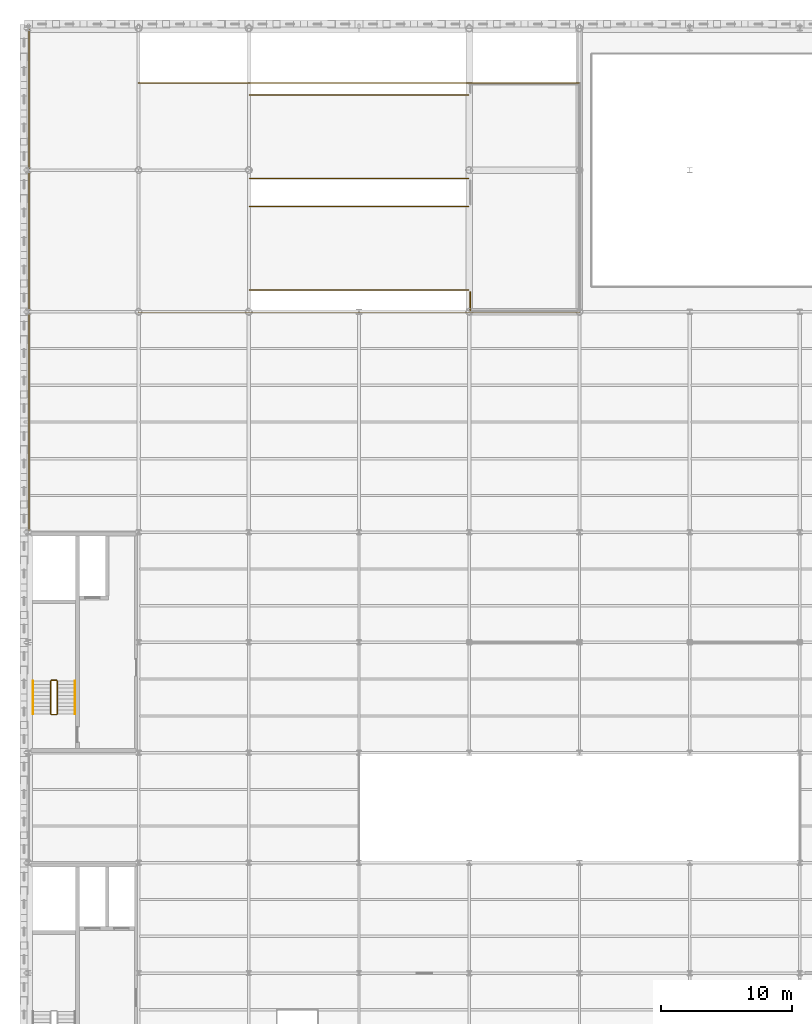
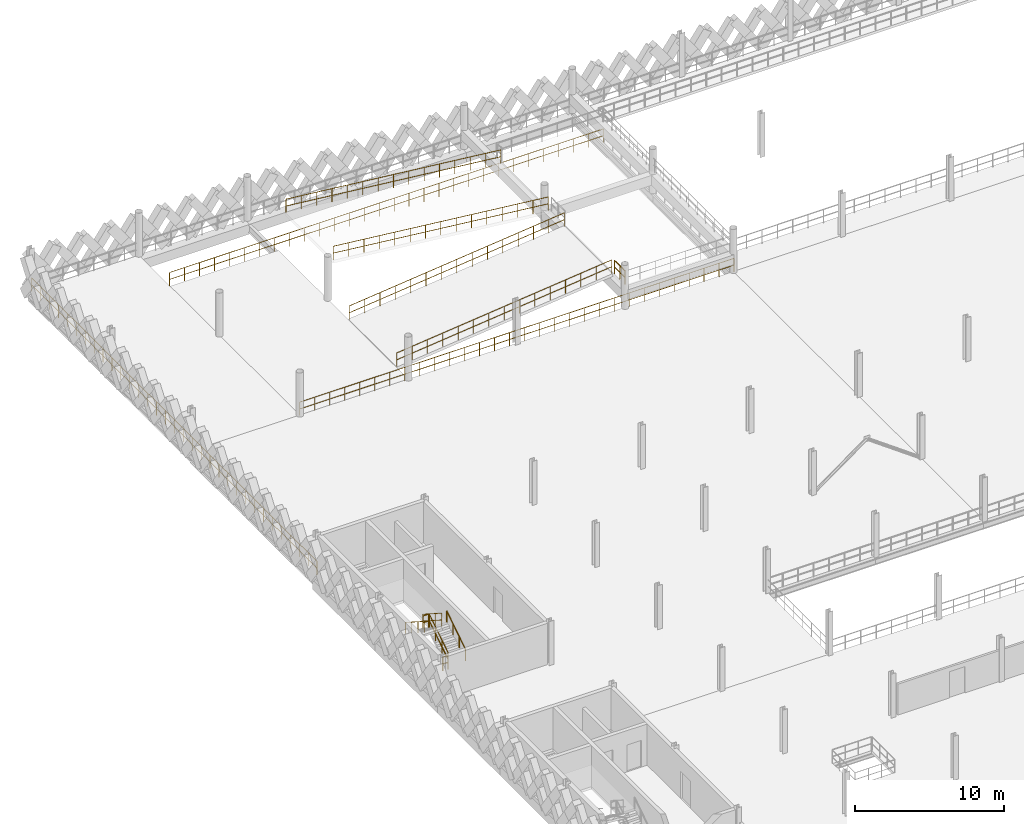
# One storey, part 96 of 101: 14 railings.
"""IFC4 building model written with IfcOpenShell, lengths in metres."""

from ifc_helpers import new_model, si_unit, direction, frame, origin, origin_2d, place, context, subcontext, project, spatial, circle, extrude, material, type_object, element, save


model = new_model("IFC4")

# Units and contexts
model_context = context("Model", 3, precision=1e-05, world=origin(), true_north=direction((0.0, 1.0)))
body_context = subcontext(model_context, "Body", "Model", "MODEL_VIEW")
ifc_project = project(units=[si_unit("LENGTHUNIT", "METRE"), si_unit("AREAUNIT", "SQUARE_METRE"), si_unit("VOLUMEUNIT", "CUBIC_METRE"), si_unit("PLANEANGLEUNIT", "RADIAN"), si_unit("MASSUNIT", "GRAM", prefix="KILO"), si_unit("THERMODYNAMICTEMPERATUREUNIT", "KELVIN"), si_unit("POWERUNIT", "WATT")], contexts=[model_context])

# Site, building, storey
site_placement = place(None, origin())
site = spatial("IfcSite", under=ifc_project, at=site_placement, CompositionType="ELEMENT")
building_placement = place(site_placement, origin())
building = spatial("IfcBuilding", under=site, at=building_placement, Name="Tembeka Court Mobility Hub", CompositionType="ELEMENT")
storey_placement = place(building_placement, frame((0.0, 0.0, 5.39990234375)))
storey = spatial("IfcBuildingStorey", under=building, at=storey_placement, Name="L01", CompositionType="ELEMENT", Elevation=5.39990234375)

# Railings
ifc_material_1 = material(Name="Painted galvanised steel balustrade", Category="steel")
railing_type_1 = type_object("IfcRailingType", Name="RL-GR01", PredefinedType="GUARDRAIL", material=ifc_material_1)
railing_1_placement = place(storey_placement, frame((2.199951171875, 66.550048828125, 0.18017578125)))
element("IfcRailing", 1, at=railing_1_placement, inside=storey, type_object=railing_type_1, Name="L01 ST03 stair guard 1-1", PredefinedType="GUARDRAIL", context=body_context, shape_type="SweptSolid", body=[
    extrude(circle(Radius=0.02392578125, at=origin_2d()), frame((0.0, 0.0, 1.09619140625), z_axis=(0.0, 0.841199657755, 0.540724639528), x_axis=(-1.0, 0.0, 0.0)), (0.0, 0.0, 1.0), 2.995849609375),
    extrude(circle(Radius=0.02392578125, at=origin_2d()), frame((0.0, 0.0, 0.5361328125), z_axis=(0.0, 0.841199657755, 0.540724639528), x_axis=(-1.0, 0.0, 0.0)), (0.0, 0.0, 1.0), 2.995849609375),
    extrude(circle(Radius=0.02099609375, at=origin_2d()), origin(), (0.0, 0.0, 1.0), 1.072021484375),
    extrude(circle(Radius=0.02099609375, at=origin_2d()), frame((0.0, 0.840087890625, 0.5400390625)), (0.0, 0.0, 1.0), 1.072021484375),
    extrude(circle(Radius=0.02099609375, at=origin_2d()), frame((0.0, 1.679931640625, 1.079833984375)), (0.0, 0.0, 1.0), 1.072021484375),
    extrude(circle(Radius=0.02099609375, at=origin_2d()), frame((0.0, 2.52001953125, 1.619873046875)), (0.0, 0.0, 1.0), 1.072021484375),
])
railing_2_placement = place(storey_placement, frame((2.14990234375, 69.1201171875, 1.800048828125)))
element("IfcRailing", 2, at=railing_2_placement, inside=storey, type_object=railing_type_1, Name="L01 ST03 stair guard 2-1", PredefinedType="GUARDRAIL", context=body_context, shape_type="SweptSolid", body=[
    extrude(circle(Radius=0.02392578125, at=origin_2d()), frame((0.0, 0.0, 1.09619140625), z_axis=(-1.0, 0.0, 0.0), x_axis=(0.0, -1.0, 0.0)), (0.0, 0.0, 1.0), 0.39990234375),
    extrude(circle(Radius=0.02392578125, at=origin_2d()), frame((0.0, 0.0, 0.5361328125), z_axis=(-1.0, 0.0, 0.0), x_axis=(0.0, -1.0, 0.0)), (0.0, 0.0, 1.0), 0.39990234375),
    extrude(circle(Radius=0.02099609375, at=origin_2d()), origin(), (0.0, 0.0, 1.0), 1.072021484375),
    extrude(circle(Radius=0.02099609375, at=origin_2d()), frame((-0.39990234375, 0.0, 0.0)), (0.0, 0.0, 1.0), 1.072021484375),
])
railing_3_placement = place(storey_placement, frame((1.699951171875, 69.070068359375, 1.97998046875)))
element("IfcRailing", 3, at=railing_3_placement, inside=storey, type_object=railing_type_1, Name="L01 ST03 stair guard 3-1", PredefinedType="GUARDRAIL", context=body_context, shape_type="SweptSolid", body=[
    extrude(circle(Radius=0.02392578125, at=origin_2d()), frame((0.0, 0.0, 1.09619140625), z_axis=(0.0, -0.841162588446, 0.540782303519), x_axis=(1.0, 0.0, 0.0)), (0.0, 0.0, 1.0), 2.995849609375),
    extrude(circle(Radius=0.02392578125, at=origin_2d()), frame((0.0, 0.0, 0.5361328125), z_axis=(0.0, -0.841162588446, 0.540782303519), x_axis=(1.0, 0.0, 0.0)), (0.0, 0.0, 1.0), 2.995849609375),
    extrude(circle(Radius=0.02099609375, at=origin_2d()), origin(), (0.0, 0.0, 1.0), 1.072021484375),
    extrude(circle(Radius=0.02099609375, at=origin_2d()), frame((0.0, -0.840087890625, 0.5400390625)), (0.0, 0.0, 1.0), 1.072021484375),
    extrude(circle(Radius=0.02099609375, at=origin_2d()), frame((0.0, -1.679931640625, 1.080078125)), (0.0, 0.0, 1.0), 1.072021484375),
    extrude(circle(Radius=0.02099609375, at=origin_2d()), frame((0.0, -2.52001953125, 1.6201171875)), (0.0, 0.0, 1.0), 1.072021484375),
])
railing_4_placement = place(storey_placement, frame((2.14990234375, 66.5, 0.0)))
element("IfcRailing", 4, at=railing_4_placement, inside=storey, type_object=railing_type_1, Name="L01 ST03 stair guard 4-1", PredefinedType="GUARDRAIL", context=body_context, shape_type="SweptSolid", body=[
    extrude(circle(Radius=0.02392578125, at=origin_2d()), frame((0.0, 0.0, 1.09619140625), z_axis=(-1.0, 0.0, 0.0), x_axis=(0.0, -1.0, 0.0)), (0.0, 0.0, 1.0), 0.39990234375),
    extrude(circle(Radius=0.02392578125, at=origin_2d()), frame((0.0, 0.0, 0.5361328125), z_axis=(-1.0, 0.0, 0.0), x_axis=(0.0, -1.0, 0.0)), (0.0, 0.0, 1.0), 0.39990234375),
    extrude(circle(Radius=0.02099609375, at=origin_2d()), origin(), (0.0, 0.0, 1.0), 1.072021484375),
    extrude(circle(Radius=0.02099609375, at=origin_2d()), frame((-0.39990234375, 0.0, 0.0)), (0.0, 0.0, 1.0), 1.072021484375),
])
railing_type_2 = type_object("IfcRailingType", Name="RL-GR02", PredefinedType="GUARDRAIL", material=ifc_material_1)
railing_5_placement = place(storey_placement, frame((0.050048828125, 80.429931640625, 0.0)))
element("IfcRailing", 5, at=railing_5_placement, inside=storey, type_object=railing_type_2, Name="Perimeter guard GR02-0065", PredefinedType="GUARDRAIL", context=body_context, shape_type="SweptSolid", body=[
    extrude(circle(Radius=0.02392578125, at=origin_2d()), frame((0.0, 0.0, 1.09619140625), z_axis=(0.0, 1.0, 0.0), x_axis=(-1.0, 0.0, 0.0)), (0.0, 0.0, 1.0), 38.2900390625),
    extrude(circle(Radius=0.02392578125, at=origin_2d()), frame((0.0, 0.0, 0.5361328125), z_axis=(0.0, 1.0, 0.0), x_axis=(-1.0, 0.0, 0.0)), (0.0, 0.0, 1.0), 38.2900390625),
    extrude(circle(Radius=0.02099609375, at=origin_2d()), origin(), (0.0, 0.0, 1.0), 1.072021484375),
    extrude(circle(Radius=0.02099609375, at=origin_2d()), frame((0.0, 1.196533203125, 0.0)), (0.0, 0.0, 1.0), 1.072021484375),
    extrude(circle(Radius=0.02099609375, at=origin_2d()), frame((0.0, 2.39306640625, 0.0)), (0.0, 0.0, 1.0), 1.072021484375),
    extrude(circle(Radius=0.02099609375, at=origin_2d()), frame((0.0, 3.589599609375, 0.0)), (0.0, 0.0, 1.0), 1.072021484375),
    extrude(circle(Radius=0.02099609375, at=origin_2d()), frame((0.0, 4.7861328125, 0.0)), (0.0, 0.0, 1.0), 1.072021484375),
    extrude(circle(Radius=0.02099609375, at=origin_2d()), frame((0.0, 5.98291015625, 0.0)), (0.0, 0.0, 1.0), 1.072021484375),
    extrude(circle(Radius=0.02099609375, at=origin_2d()), frame((0.0, 7.179443359375, 0.0)), (0.0, 0.0, 1.0), 1.072021484375),
    extrude(circle(Radius=0.02099609375, at=origin_2d()), frame((0.0, 8.3759765625, 0.0)), (0.0, 0.0, 1.0), 1.072021484375),
    extrude(circle(Radius=0.02099609375, at=origin_2d()), frame((0.0, 9.572509765625, 0.0)), (0.0, 0.0, 1.0), 1.072021484375),
    extrude(circle(Radius=0.02099609375, at=origin_2d()), frame((0.0, 10.76904296875, 0.0)), (0.0, 0.0, 1.0), 1.072021484375),
    extrude(circle(Radius=0.02099609375, at=origin_2d()), frame((0.0, 11.965576171875, 0.0)), (0.0, 0.0, 1.0), 1.072021484375),
    extrude(circle(Radius=0.02099609375, at=origin_2d()), frame((0.0, 13.162109375, 0.0)), (0.0, 0.0, 1.0), 1.072021484375),
    extrude(circle(Radius=0.02099609375, at=origin_2d()), frame((0.0, 14.35888671875, 0.0)), (0.0, 0.0, 1.0), 1.072021484375),
    extrude(circle(Radius=0.02099609375, at=origin_2d()), frame((0.0, 15.555419921875, 0.0)), (0.0, 0.0, 1.0), 1.072021484375),
    extrude(circle(Radius=0.02099609375, at=origin_2d()), frame((0.0, 16.751953125, 0.0)), (0.0, 0.0, 1.0), 1.072021484375),
    extrude(circle(Radius=0.02099609375, at=origin_2d()), frame((0.0, 17.948486328125, 0.0)), (0.0, 0.0, 1.0), 1.072021484375),
    extrude(circle(Radius=0.02099609375, at=origin_2d()), frame((0.0, 19.14501953125, 0.0)), (0.0, 0.0, 1.0), 1.072021484375),
    extrude(circle(Radius=0.02099609375, at=origin_2d()), frame((0.0, 20.341552734375, 0.0)), (0.0, 0.0, 1.0), 1.072021484375),
    extrude(circle(Radius=0.02099609375, at=origin_2d()), frame((0.0, 21.5380859375, 0.0)), (0.0, 0.0, 1.0), 1.072021484375),
    extrude(circle(Radius=0.02099609375, at=origin_2d()), frame((0.0, 22.734619140625, 0.0)), (0.0, 0.0, 1.0), 1.072021484375),
    extrude(circle(Radius=0.02099609375, at=origin_2d()), frame((0.0, 23.93115234375, 0.0)), (0.0, 0.0, 1.0), 1.072021484375),
    extrude(circle(Radius=0.02099609375, at=origin_2d()), frame((0.0, 25.1279296875, 0.0)), (0.0, 0.0, 1.0), 1.072021484375),
    extrude(circle(Radius=0.02099609375, at=origin_2d()), frame((0.0, 26.324462890625, 0.0)), (0.0, 0.0, 1.0), 1.072021484375),
    extrude(circle(Radius=0.02099609375, at=origin_2d()), frame((0.0, 27.52099609375, 0.0)), (0.0, 0.0, 1.0), 1.072021484375),
    extrude(circle(Radius=0.02099609375, at=origin_2d()), frame((0.0, 28.717529296875, 0.0)), (0.0, 0.0, 1.0), 1.072021484375),
    extrude(circle(Radius=0.02099609375, at=origin_2d()), frame((0.0, 29.9140625, 0.0)), (0.0, 0.0, 1.0), 1.072021484375),
    extrude(circle(Radius=0.02099609375, at=origin_2d()), frame((0.0, 31.110595703125, 0.0)), (0.0, 0.0, 1.0), 1.072021484375),
    extrude(circle(Radius=0.02099609375, at=origin_2d()), frame((0.0, 32.30712890625, 0.0)), (0.0, 0.0, 1.0), 1.072021484375),
    extrude(circle(Radius=0.02099609375, at=origin_2d()), frame((0.0, 33.50390625, 0.0)), (0.0, 0.0, 1.0), 1.072021484375),
    extrude(circle(Radius=0.02099609375, at=origin_2d()), frame((0.0, 34.700439453125, 0.0)), (0.0, 0.0, 1.0), 1.072021484375),
    extrude(circle(Radius=0.02099609375, at=origin_2d()), frame((0.0, 35.89697265625, 0.0)), (0.0, 0.0, 1.0), 1.072021484375),
    extrude(circle(Radius=0.02099609375, at=origin_2d()), frame((0.0, 37.093505859375, 0.0)), (0.0, 0.0, 1.0), 1.072021484375),
    extrude(circle(Radius=0.02099609375, at=origin_2d()), frame((0.0, 38.2900390625, 0.0)), (0.0, 0.0, 1.0), 1.072021484375),
])
railing_6_placement = place(storey_placement, frame((8.3798828125, 97.14990234375, 0.0)))
element("IfcRailing", 6, at=railing_6_placement, inside=storey, type_object=railing_type_2, Name="Perimeter guard GR02-0187", PredefinedType="GUARDRAIL", context=body_context, shape_type="SweptSolid", body=[
    extrude(circle(Radius=0.02392578125, at=origin_2d()), frame((0.0, 0.0, 1.09619140625), z_axis=(1.0, 0.0, 0.0), x_axis=(0.0, 1.0, 0.0)), (0.0, 0.0, 1.0), 33.64013671875),
    extrude(circle(Radius=0.02392578125, at=origin_2d()), frame((0.0, 0.0, 0.5361328125), z_axis=(1.0, 0.0, 0.0), x_axis=(0.0, 1.0, 0.0)), (0.0, 0.0, 1.0), 33.64013671875),
    extrude(circle(Radius=0.02099609375, at=origin_2d()), origin(), (0.0, 0.0, 1.0), 1.072021484375),
    extrude(circle(Radius=0.02099609375, at=origin_2d()), frame((1.159912109375, 0.0, 0.0)), (0.0, 0.0, 1.0), 1.072021484375),
    extrude(circle(Radius=0.02099609375, at=origin_2d()), frame((2.320068359375, 0.0, 0.0)), (0.0, 0.0, 1.0), 1.072021484375),
    extrude(circle(Radius=0.02099609375, at=origin_2d()), frame((3.47998046875, 0.0, 0.0)), (0.0, 0.0, 1.0), 1.072021484375),
    extrude(circle(Radius=0.02099609375, at=origin_2d()), frame((4.64013671875, 0.0, 0.0)), (0.0, 0.0, 1.0), 1.072021484375),
    extrude(circle(Radius=0.02099609375, at=origin_2d()), frame((5.800048828125, 0.0, 0.0)), (0.0, 0.0, 1.0), 1.072021484375),
    extrude(circle(Radius=0.02099609375, at=origin_2d()), frame((6.9599609375, 0.0, 0.0)), (0.0, 0.0, 1.0), 1.072021484375),
    extrude(circle(Radius=0.02099609375, at=origin_2d()), frame((8.1201171875, 0.0, 0.0)), (0.0, 0.0, 1.0), 1.072021484375),
    extrude(circle(Radius=0.02099609375, at=origin_2d()), frame((9.280029296875, 0.0, 0.0)), (0.0, 0.0, 1.0), 1.072021484375),
    extrude(circle(Radius=0.02099609375, at=origin_2d()), frame((10.43994140625, 0.0, 0.0)), (0.0, 0.0, 1.0), 1.072021484375),
    extrude(circle(Radius=0.02099609375, at=origin_2d()), frame((11.60009765625, 0.0, 0.0)), (0.0, 0.0, 1.0), 1.072021484375),
    extrude(circle(Radius=0.02099609375, at=origin_2d()), frame((12.760009765625, 0.0, 0.0)), (0.0, 0.0, 1.0), 1.072021484375),
    extrude(circle(Radius=0.02099609375, at=origin_2d()), frame((13.920166015625, 0.0, 0.0)), (0.0, 0.0, 1.0), 1.072021484375),
    extrude(circle(Radius=0.02099609375, at=origin_2d()), frame((15.080078125, 0.0, 0.0)), (0.0, 0.0, 1.0), 1.072021484375),
    extrude(circle(Radius=0.02099609375, at=origin_2d()), frame((16.239990234375, 0.0, 0.0)), (0.0, 0.0, 1.0), 1.072021484375),
    extrude(circle(Radius=0.02099609375, at=origin_2d()), frame((17.400146484375, 0.0, 0.0)), (0.0, 0.0, 1.0), 1.072021484375),
    extrude(circle(Radius=0.02099609375, at=origin_2d()), frame((18.56005859375, 0.0, 0.0)), (0.0, 0.0, 1.0), 1.072021484375),
    extrude(circle(Radius=0.02099609375, at=origin_2d()), frame((19.719970703125, 0.0, 0.0)), (0.0, 0.0, 1.0), 1.072021484375),
    extrude(circle(Radius=0.02099609375, at=origin_2d()), frame((20.880126953125, 0.0, 0.0)), (0.0, 0.0, 1.0), 1.072021484375),
    extrude(circle(Radius=0.02099609375, at=origin_2d()), frame((22.0400390625, 0.0, 0.0)), (0.0, 0.0, 1.0), 1.072021484375),
    extrude(circle(Radius=0.02099609375, at=origin_2d()), frame((23.2001953125, 0.0, 0.0)), (0.0, 0.0, 1.0), 1.072021484375),
    extrude(circle(Radius=0.02099609375, at=origin_2d()), frame((24.360107421875, 0.0, 0.0)), (0.0, 0.0, 1.0), 1.072021484375),
    extrude(circle(Radius=0.02099609375, at=origin_2d()), frame((25.52001953125, 0.0, 0.0)), (0.0, 0.0, 1.0), 1.072021484375),
    extrude(circle(Radius=0.02099609375, at=origin_2d()), frame((26.68017578125, 0.0, 0.0)), (0.0, 0.0, 1.0), 1.072021484375),
    extrude(circle(Radius=0.02099609375, at=origin_2d()), frame((27.840087890625, 0.0, 0.0)), (0.0, 0.0, 1.0), 1.072021484375),
    extrude(circle(Radius=0.02099609375, at=origin_2d()), frame((29.0, 0.0, 0.0)), (0.0, 0.0, 1.0), 1.072021484375),
    extrude(circle(Radius=0.02099609375, at=origin_2d()), frame((30.16015625, 0.0, 0.0)), (0.0, 0.0, 1.0), 1.072021484375),
    extrude(circle(Radius=0.02099609375, at=origin_2d()), frame((31.320068359375, 0.0, 0.0)), (0.0, 0.0, 1.0), 1.072021484375),
    extrude(circle(Radius=0.02099609375, at=origin_2d()), frame((32.480224609375, 0.0, 0.0)), (0.0, 0.0, 1.0), 1.072021484375),
    extrude(circle(Radius=0.02099609375, at=origin_2d()), frame((33.64013671875, 0.0, 0.0)), (0.0, 0.0, 1.0), 1.072021484375),
])
railing_7_placement = place(storey_placement, frame((8.3798828125, 114.64990234375, 0.0)))
element("IfcRailing", 7, at=railing_7_placement, inside=storey, type_object=railing_type_2, Name="Perimeter guard GR02-0188", PredefinedType="GUARDRAIL", context=body_context, shape_type="SweptSolid", body=[
    extrude(circle(Radius=0.02392578125, at=origin_2d()), frame((0.0, 0.0, 1.09619140625), z_axis=(1.0, 0.0, 0.0), x_axis=(0.0, 1.0, 0.0)), (0.0, 0.0, 1.0), 33.64013671875),
    extrude(circle(Radius=0.02392578125, at=origin_2d()), frame((0.0, 0.0, 0.5361328125), z_axis=(1.0, 0.0, 0.0), x_axis=(0.0, 1.0, 0.0)), (0.0, 0.0, 1.0), 33.64013671875),
    extrude(circle(Radius=0.02099609375, at=origin_2d()), origin(), (0.0, 0.0, 1.0), 1.072021484375),
    extrude(circle(Radius=0.02099609375, at=origin_2d()), frame((1.159912109375, 0.0, 0.0)), (0.0, 0.0, 1.0), 1.072021484375),
    extrude(circle(Radius=0.02099609375, at=origin_2d()), frame((2.320068359375, 0.0, 0.0)), (0.0, 0.0, 1.0), 1.072021484375),
    extrude(circle(Radius=0.02099609375, at=origin_2d()), frame((3.47998046875, 0.0, 0.0)), (0.0, 0.0, 1.0), 1.072021484375),
    extrude(circle(Radius=0.02099609375, at=origin_2d()), frame((4.64013671875, 0.0, 0.0)), (0.0, 0.0, 1.0), 1.072021484375),
    extrude(circle(Radius=0.02099609375, at=origin_2d()), frame((5.800048828125, 0.0, 0.0)), (0.0, 0.0, 1.0), 1.072021484375),
    extrude(circle(Radius=0.02099609375, at=origin_2d()), frame((6.9599609375, 0.0, 0.0)), (0.0, 0.0, 1.0), 1.072021484375),
    extrude(circle(Radius=0.02099609375, at=origin_2d()), frame((8.1201171875, 0.0, 0.0)), (0.0, 0.0, 1.0), 1.072021484375),
    extrude(circle(Radius=0.02099609375, at=origin_2d()), frame((9.280029296875, 0.0, 0.0)), (0.0, 0.0, 1.0), 1.072021484375),
    extrude(circle(Radius=0.02099609375, at=origin_2d()), frame((10.43994140625, 0.0, 0.0)), (0.0, 0.0, 1.0), 1.072021484375),
    extrude(circle(Radius=0.02099609375, at=origin_2d()), frame((11.60009765625, 0.0, 0.0)), (0.0, 0.0, 1.0), 1.072021484375),
    extrude(circle(Radius=0.02099609375, at=origin_2d()), frame((12.760009765625, 0.0, 0.0)), (0.0, 0.0, 1.0), 1.072021484375),
    extrude(circle(Radius=0.02099609375, at=origin_2d()), frame((13.920166015625, 0.0, 0.0)), (0.0, 0.0, 1.0), 1.072021484375),
    extrude(circle(Radius=0.02099609375, at=origin_2d()), frame((15.080078125, 0.0, 0.0)), (0.0, 0.0, 1.0), 1.072021484375),
    extrude(circle(Radius=0.02099609375, at=origin_2d()), frame((16.239990234375, 0.0, 0.0)), (0.0, 0.0, 1.0), 1.072021484375),
    extrude(circle(Radius=0.02099609375, at=origin_2d()), frame((17.400146484375, 0.0, 0.0)), (0.0, 0.0, 1.0), 1.072021484375),
    extrude(circle(Radius=0.02099609375, at=origin_2d()), frame((18.56005859375, 0.0, 0.0)), (0.0, 0.0, 1.0), 1.072021484375),
    extrude(circle(Radius=0.02099609375, at=origin_2d()), frame((19.719970703125, 0.0, 0.0)), (0.0, 0.0, 1.0), 1.072021484375),
    extrude(circle(Radius=0.02099609375, at=origin_2d()), frame((20.880126953125, 0.0, 0.0)), (0.0, 0.0, 1.0), 1.072021484375),
    extrude(circle(Radius=0.02099609375, at=origin_2d()), frame((22.0400390625, 0.0, 0.0)), (0.0, 0.0, 1.0), 1.072021484375),
    extrude(circle(Radius=0.02099609375, at=origin_2d()), frame((23.2001953125, 0.0, 0.0)), (0.0, 0.0, 1.0), 1.072021484375),
    extrude(circle(Radius=0.02099609375, at=origin_2d()), frame((24.360107421875, 0.0, 0.0)), (0.0, 0.0, 1.0), 1.072021484375),
    extrude(circle(Radius=0.02099609375, at=origin_2d()), frame((25.52001953125, 0.0, 0.0)), (0.0, 0.0, 1.0), 1.072021484375),
    extrude(circle(Radius=0.02099609375, at=origin_2d()), frame((26.68017578125, 0.0, 0.0)), (0.0, 0.0, 1.0), 1.072021484375),
    extrude(circle(Radius=0.02099609375, at=origin_2d()), frame((27.840087890625, 0.0, 0.0)), (0.0, 0.0, 1.0), 1.072021484375),
    extrude(circle(Radius=0.02099609375, at=origin_2d()), frame((29.0, 0.0, 0.0)), (0.0, 0.0, 1.0), 1.072021484375),
    extrude(circle(Radius=0.02099609375, at=origin_2d()), frame((30.16015625, 0.0, 0.0)), (0.0, 0.0, 1.0), 1.072021484375),
    extrude(circle(Radius=0.02099609375, at=origin_2d()), frame((31.320068359375, 0.0, 0.0)), (0.0, 0.0, 1.0), 1.072021484375),
    extrude(circle(Radius=0.02099609375, at=origin_2d()), frame((32.480224609375, 0.0, 0.0)), (0.0, 0.0, 1.0), 1.072021484375),
    extrude(circle(Radius=0.02099609375, at=origin_2d()), frame((33.64013671875, 0.0, 0.0)), (0.0, 0.0, 1.0), 1.072021484375),
])
railing_8_placement = place(storey_placement, frame((16.869873046875, 98.8701171875, 0.00341796875)))
element("IfcRailing", 8, at=railing_8_placement, inside=storey, type_object=railing_type_2, Name="Perimeter guard GR02-0222", PredefinedType="GUARDRAIL", context=body_context, shape_type="SweptSolid", body=[
    extrude(circle(Radius=0.02392578125, at=origin_2d()), frame((0.0, 0.0, 1.09619140625), z_axis=(0.994255840215, 0.0, 0.107029548251), x_axis=(0.0, 1.0, 0.0)), (0.0, 0.0, 1.0), 16.756591796875),
    extrude(circle(Radius=0.02392578125, at=origin_2d()), frame((0.0, 0.0, 0.5361328125), z_axis=(0.994255840215, 0.0, 0.107029548251), x_axis=(0.0, 1.0, 0.0)), (0.0, 0.0, 1.0), 16.756591796875),
    extrude(circle(Radius=0.02099609375, at=origin_2d()), origin(), (0.0, 0.0, 1.0), 1.072021484375),
    extrude(circle(Radius=0.02099609375, at=origin_2d()), frame((1.18994140625, 0.0, 0.128173828125)), (0.0, 0.0, 1.0), 1.072021484375),
    extrude(circle(Radius=0.02099609375, at=origin_2d()), frame((2.380126953125, 0.0, 0.256103515625)), (0.0, 0.0, 1.0), 1.072021484375),
    extrude(circle(Radius=0.02099609375, at=origin_2d()), frame((3.570068359375, 0.0, 0.38427734375)), (0.0, 0.0, 1.0), 1.072021484375),
    extrude(circle(Radius=0.02099609375, at=origin_2d()), frame((4.760009765625, 0.0, 0.512451171875)), (0.0, 0.0, 1.0), 1.072021484375),
    extrude(circle(Radius=0.02099609375, at=origin_2d()), frame((5.9501953125, 0.0, 0.640625)), (0.0, 0.0, 1.0), 1.072021484375),
    extrude(circle(Radius=0.02099609375, at=origin_2d()), frame((7.14013671875, 0.0, 0.7685546875)), (0.0, 0.0, 1.0), 1.072021484375),
    extrude(circle(Radius=0.02099609375, at=origin_2d()), frame((8.330078125, 0.0, 0.896728515625)), (0.0, 0.0, 1.0), 1.072021484375),
    extrude(circle(Radius=0.02099609375, at=origin_2d()), frame((9.520263671875, 0.0, 1.02490234375)), (0.0, 0.0, 1.0), 1.072021484375),
    extrude(circle(Radius=0.02099609375, at=origin_2d()), frame((10.710205078125, 0.0, 1.15283203125)), (0.0, 0.0, 1.0), 1.072021484375),
    extrude(circle(Radius=0.02099609375, at=origin_2d()), frame((11.900390625, 0.0, 1.281005859375)), (0.0, 0.0, 1.0), 1.072021484375),
    extrude(circle(Radius=0.02099609375, at=origin_2d()), frame((13.09033203125, 0.0, 1.4091796875)), (0.0, 0.0, 1.0), 1.072021484375),
    extrude(circle(Radius=0.02099609375, at=origin_2d()), frame((14.2802734375, 0.0, 1.537353515625)), (0.0, 0.0, 1.0), 1.072021484375),
    extrude(circle(Radius=0.02099609375, at=origin_2d()), frame((15.470458984375, 0.0, 1.665283203125)), (0.0, 0.0, 1.0), 1.072021484375),
    extrude(circle(Radius=0.02099609375, at=origin_2d()), frame((16.660400390625, 0.0, 1.79345703125)), (0.0, 0.0, 1.0), 1.072021484375),
])
railing_9_placement = place(storey_placement, frame((33.5302734375, 107.3701171875, 1.80322265625)))
element("IfcRailing", 9, at=railing_9_placement, inside=storey, type_object=railing_type_2, Name="Perimeter guard GR02-0223", PredefinedType="GUARDRAIL", context=body_context, shape_type="SweptSolid", body=[
    extrude(circle(Radius=0.02392578125, at=origin_2d()), frame((0.0, 0.0, 1.09619140625), z_axis=(-0.994254289674, 0.0, 0.107043951089), x_axis=(0.0, -1.0, 0.0)), (0.0, 0.0, 1.0), 16.756591796875),
    extrude(circle(Radius=0.02392578125, at=origin_2d()), frame((0.0, 0.0, 0.5361328125), z_axis=(-0.994254289674, 0.0, 0.107043951089), x_axis=(0.0, -1.0, 0.0)), (0.0, 0.0, 1.0), 16.756591796875),
    extrude(circle(Radius=0.02099609375, at=origin_2d()), origin(), (0.0, 0.0, 1.0), 1.072021484375),
    extrude(circle(Radius=0.02099609375, at=origin_2d()), frame((-1.18994140625, 0.0, 0.128173828125)), (0.0, 0.0, 1.0), 1.072021484375),
    extrude(circle(Radius=0.02099609375, at=origin_2d()), frame((-2.380126953125, 0.0, 0.25634765625)), (0.0, 0.0, 1.0), 1.072021484375),
    extrude(circle(Radius=0.02099609375, at=origin_2d()), frame((-3.570068359375, 0.0, 0.38427734375)), (0.0, 0.0, 1.0), 1.072021484375),
    extrude(circle(Radius=0.02099609375, at=origin_2d()), frame((-4.760009765625, 0.0, 0.512451171875)), (0.0, 0.0, 1.0), 1.072021484375),
    extrude(circle(Radius=0.02099609375, at=origin_2d()), frame((-5.9501953125, 0.0, 0.640625)), (0.0, 0.0, 1.0), 1.072021484375),
    extrude(circle(Radius=0.02099609375, at=origin_2d()), frame((-7.14013671875, 0.0, 0.768798828125)), (0.0, 0.0, 1.0), 1.072021484375),
    extrude(circle(Radius=0.02099609375, at=origin_2d()), frame((-8.330078125, 0.0, 0.89697265625)), (0.0, 0.0, 1.0), 1.072021484375),
    extrude(circle(Radius=0.02099609375, at=origin_2d()), frame((-9.520263671875, 0.0, 1.02490234375)), (0.0, 0.0, 1.0), 1.072021484375),
    extrude(circle(Radius=0.02099609375, at=origin_2d()), frame((-10.710205078125, 0.0, 1.153076171875)), (0.0, 0.0, 1.0), 1.072021484375),
    extrude(circle(Radius=0.02099609375, at=origin_2d()), frame((-11.900390625, 0.0, 1.28125)), (0.0, 0.0, 1.0), 1.072021484375),
    extrude(circle(Radius=0.02099609375, at=origin_2d()), frame((-13.09033203125, 0.0, 1.409423828125)), (0.0, 0.0, 1.0), 1.072021484375),
    extrude(circle(Radius=0.02099609375, at=origin_2d()), frame((-14.2802734375, 0.0, 1.537353515625)), (0.0, 0.0, 1.0), 1.072021484375),
    extrude(circle(Radius=0.02099609375, at=origin_2d()), frame((-15.470458984375, 0.0, 1.66552734375)), (0.0, 0.0, 1.0), 1.072021484375),
    extrude(circle(Radius=0.02099609375, at=origin_2d()), frame((-16.660400390625, 0.0, 1.793701171875)), (0.0, 0.0, 1.0), 1.072021484375),
])
railing_10_placement = place(storey_placement, frame((16.869873046875, 105.22998046875, 0.00341796875)))
element("IfcRailing", 10, at=railing_10_placement, inside=storey, type_object=railing_type_2, Name="Perimeter guard GR02-0224", PredefinedType="GUARDRAIL", context=body_context, shape_type="SweptSolid", body=[
    extrude(circle(Radius=0.02392578125, at=origin_2d()), frame((0.0, 0.0, 1.09619140625), z_axis=(0.994255840215, 0.0, 0.107029548251), x_axis=(0.0, 1.0, 0.0)), (0.0, 0.0, 1.0), 16.756591796875),
    extrude(circle(Radius=0.02392578125, at=origin_2d()), frame((0.0, 0.0, 0.5361328125), z_axis=(0.994255840215, 0.0, 0.107029548251), x_axis=(0.0, 1.0, 0.0)), (0.0, 0.0, 1.0), 16.756591796875),
    extrude(circle(Radius=0.02099609375, at=origin_2d()), origin(), (0.0, 0.0, 1.0), 1.072021484375),
    extrude(circle(Radius=0.02099609375, at=origin_2d()), frame((1.18994140625, 0.0, 0.128173828125)), (0.0, 0.0, 1.0), 1.072021484375),
    extrude(circle(Radius=0.02099609375, at=origin_2d()), frame((2.380126953125, 0.0, 0.256103515625)), (0.0, 0.0, 1.0), 1.072021484375),
    extrude(circle(Radius=0.02099609375, at=origin_2d()), frame((3.570068359375, 0.0, 0.38427734375)), (0.0, 0.0, 1.0), 1.072021484375),
    extrude(circle(Radius=0.02099609375, at=origin_2d()), frame((4.760009765625, 0.0, 0.512451171875)), (0.0, 0.0, 1.0), 1.072021484375),
    extrude(circle(Radius=0.02099609375, at=origin_2d()), frame((5.9501953125, 0.0, 0.640625)), (0.0, 0.0, 1.0), 1.072021484375),
    extrude(circle(Radius=0.02099609375, at=origin_2d()), frame((7.14013671875, 0.0, 0.7685546875)), (0.0, 0.0, 1.0), 1.072021484375),
    extrude(circle(Radius=0.02099609375, at=origin_2d()), frame((8.330078125, 0.0, 0.896728515625)), (0.0, 0.0, 1.0), 1.072021484375),
    extrude(circle(Radius=0.02099609375, at=origin_2d()), frame((9.520263671875, 0.0, 1.02490234375)), (0.0, 0.0, 1.0), 1.072021484375),
    extrude(circle(Radius=0.02099609375, at=origin_2d()), frame((10.710205078125, 0.0, 1.15283203125)), (0.0, 0.0, 1.0), 1.072021484375),
    extrude(circle(Radius=0.02099609375, at=origin_2d()), frame((11.900390625, 0.0, 1.281005859375)), (0.0, 0.0, 1.0), 1.072021484375),
    extrude(circle(Radius=0.02099609375, at=origin_2d()), frame((13.09033203125, 0.0, 1.4091796875)), (0.0, 0.0, 1.0), 1.072021484375),
    extrude(circle(Radius=0.02099609375, at=origin_2d()), frame((14.2802734375, 0.0, 1.537353515625)), (0.0, 0.0, 1.0), 1.072021484375),
    extrude(circle(Radius=0.02099609375, at=origin_2d()), frame((15.470458984375, 0.0, 1.665283203125)), (0.0, 0.0, 1.0), 1.072021484375),
    extrude(circle(Radius=0.02099609375, at=origin_2d()), frame((16.660400390625, 0.0, 1.79345703125)), (0.0, 0.0, 1.0), 1.072021484375),
])
railing_11_placement = place(storey_placement, frame((33.5302734375, 113.72998046875, 1.80322265625)))
element("IfcRailing", 11, at=railing_11_placement, inside=storey, type_object=railing_type_2, Name="Perimeter guard GR02-0225", PredefinedType="GUARDRAIL", context=body_context, shape_type="SweptSolid", body=[
    extrude(circle(Radius=0.02392578125, at=origin_2d()), frame((0.0, 0.0, 1.09619140625), z_axis=(-0.994254289674, 0.0, 0.107043951089), x_axis=(0.0, -1.0, 0.0)), (0.0, 0.0, 1.0), 16.756591796875),
    extrude(circle(Radius=0.02392578125, at=origin_2d()), frame((0.0, 0.0, 0.5361328125), z_axis=(-0.994254289674, 0.0, 0.107043951089), x_axis=(0.0, -1.0, 0.0)), (0.0, 0.0, 1.0), 16.756591796875),
    extrude(circle(Radius=0.02099609375, at=origin_2d()), origin(), (0.0, 0.0, 1.0), 1.072021484375),
    extrude(circle(Radius=0.02099609375, at=origin_2d()), frame((-1.18994140625, 0.0, 0.128173828125)), (0.0, 0.0, 1.0), 1.072021484375),
    extrude(circle(Radius=0.02099609375, at=origin_2d()), frame((-2.380126953125, 0.0, 0.25634765625)), (0.0, 0.0, 1.0), 1.072021484375),
    extrude(circle(Radius=0.02099609375, at=origin_2d()), frame((-3.570068359375, 0.0, 0.38427734375)), (0.0, 0.0, 1.0), 1.072021484375),
    extrude(circle(Radius=0.02099609375, at=origin_2d()), frame((-4.760009765625, 0.0, 0.512451171875)), (0.0, 0.0, 1.0), 1.072021484375),
    extrude(circle(Radius=0.02099609375, at=origin_2d()), frame((-5.9501953125, 0.0, 0.640625)), (0.0, 0.0, 1.0), 1.072021484375),
    extrude(circle(Radius=0.02099609375, at=origin_2d()), frame((-7.14013671875, 0.0, 0.768798828125)), (0.0, 0.0, 1.0), 1.072021484375),
    extrude(circle(Radius=0.02099609375, at=origin_2d()), frame((-8.330078125, 0.0, 0.89697265625)), (0.0, 0.0, 1.0), 1.072021484375),
    extrude(circle(Radius=0.02099609375, at=origin_2d()), frame((-9.520263671875, 0.0, 1.02490234375)), (0.0, 0.0, 1.0), 1.072021484375),
    extrude(circle(Radius=0.02099609375, at=origin_2d()), frame((-10.710205078125, 0.0, 1.153076171875)), (0.0, 0.0, 1.0), 1.072021484375),
    extrude(circle(Radius=0.02099609375, at=origin_2d()), frame((-11.900390625, 0.0, 1.28125)), (0.0, 0.0, 1.0), 1.072021484375),
    extrude(circle(Radius=0.02099609375, at=origin_2d()), frame((-13.09033203125, 0.0, 1.409423828125)), (0.0, 0.0, 1.0), 1.072021484375),
    extrude(circle(Radius=0.02099609375, at=origin_2d()), frame((-14.2802734375, 0.0, 1.537353515625)), (0.0, 0.0, 1.0), 1.072021484375),
    extrude(circle(Radius=0.02099609375, at=origin_2d()), frame((-15.470458984375, 0.0, 1.66552734375)), (0.0, 0.0, 1.0), 1.072021484375),
    extrude(circle(Radius=0.02099609375, at=origin_2d()), frame((-16.660400390625, 0.0, 1.793701171875)), (0.0, 0.0, 1.0), 1.072021484375),
])
railing_12_placement = place(storey_placement, frame((33.679931640625, 97.31005859375, 1.800048828125)))
element("IfcRailing", 12, at=railing_12_placement, inside=storey, type_object=railing_type_2, Name="Perimeter guard GR02-0229", PredefinedType="GUARDRAIL", context=body_context, shape_type="SweptSolid", body=[
    extrude(circle(Radius=0.02392578125, at=origin_2d()), frame((0.0, 0.0, 1.09619140625), z_axis=(0.0, 1.0, 0.0), x_axis=(-1.0, 0.0, 0.0)), (0.0, 0.0, 1.0), 1.409912109375),
    extrude(circle(Radius=0.02392578125, at=origin_2d()), frame((0.0, 0.0, 0.5361328125), z_axis=(0.0, 1.0, 0.0), x_axis=(-1.0, 0.0, 0.0)), (0.0, 0.0, 1.0), 1.409912109375),
    extrude(circle(Radius=0.02099609375, at=origin_2d()), origin(), (0.0, 0.0, 1.0), 1.072021484375),
    extrude(circle(Radius=0.02099609375, at=origin_2d()), frame((0.0, 0.705078125, 0.0)), (0.0, 0.0, 1.0), 1.072021484375),
    extrude(circle(Radius=0.02099609375, at=origin_2d()), frame((0.0, 1.409912109375, 0.0)), (0.0, 0.0, 1.0), 1.072021484375),
])
ifc_material_2 = material(Name="Brushed stainless steel handrail", Category="steel")
railing_type_3 = type_object("IfcRailingType", Name="RL-HR01", PredefinedType="HANDRAIL", material=ifc_material_2)
railing_13_placement = place(storey_placement, frame((3.550048828125, 66.550048828125, 0.18017578125)))
element("IfcRailing", 13, at=railing_13_placement, inside=storey, type_object=railing_type_3, Name="L01 ST03 handrail 1-1", PredefinedType="HANDRAIL", context=body_context, shape_type="SweptSolid", body=[
    extrude(circle(Radius=0.02392578125, at=origin_2d()), frame((0.0, 0.0, 0.89599609375), z_axis=(0.0, 0.841199657755, 0.540724639528), x_axis=(-1.0, 0.0, 0.0)), (0.0, 0.0, 1.0), 2.995849609375),
    extrude(circle(Radius=0.02099609375, at=origin_2d()), origin(), (0.0, 0.0, 1.0), 0.871826171875),
    extrude(circle(Radius=0.02099609375, at=origin_2d()), frame((0.0, 0.840087890625, 0.5400390625)), (0.0, 0.0, 1.0), 0.871826171875),
    extrude(circle(Radius=0.02099609375, at=origin_2d()), frame((0.0, 1.679931640625, 1.079833984375)), (0.0, 0.0, 1.0), 0.871826171875),
    extrude(circle(Radius=0.02099609375, at=origin_2d()), frame((0.0, 2.52001953125, 1.619873046875)), (0.0, 0.0, 1.0), 0.871826171875),
])
railing_14_placement = place(storey_placement, frame((0.35009765625, 69.070068359375, 1.97998046875)))
element("IfcRailing", 14, at=railing_14_placement, inside=storey, type_object=railing_type_3, Name="L01 ST03 handrail 2-1", PredefinedType="HANDRAIL", context=body_context, shape_type="SweptSolid", body=[
    extrude(circle(Radius=0.02392578125, at=origin_2d()), frame((0.0, 0.0, 0.89599609375), z_axis=(0.0, -0.841162588446, 0.540782303519), x_axis=(1.0, 0.0, 0.0)), (0.0, 0.0, 1.0), 2.995849609375),
    extrude(circle(Radius=0.02099609375, at=origin_2d()), origin(), (0.0, 0.0, 1.0), 0.871826171875),
    extrude(circle(Radius=0.02099609375, at=origin_2d()), frame((0.0, -0.840087890625, 0.5400390625)), (0.0, 0.0, 1.0), 0.871826171875),
    extrude(circle(Radius=0.02099609375, at=origin_2d()), frame((0.0, -1.679931640625, 1.080078125)), (0.0, 0.0, 1.0), 0.871826171875),
    extrude(circle(Radius=0.02099609375, at=origin_2d()), frame((0.0, -2.52001953125, 1.6201171875)), (0.0, 0.0, 1.0), 0.871826171875),
])

save(model, "model.ifc")
